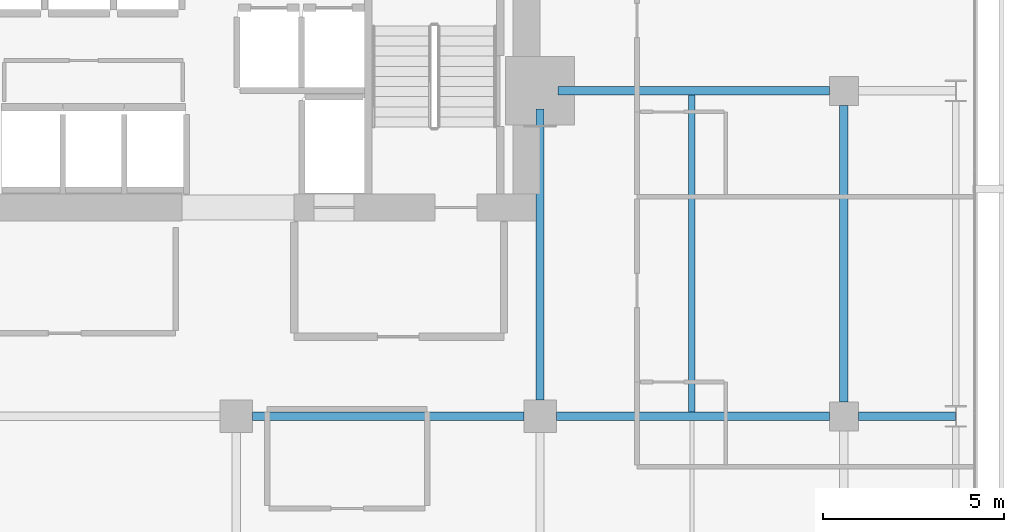
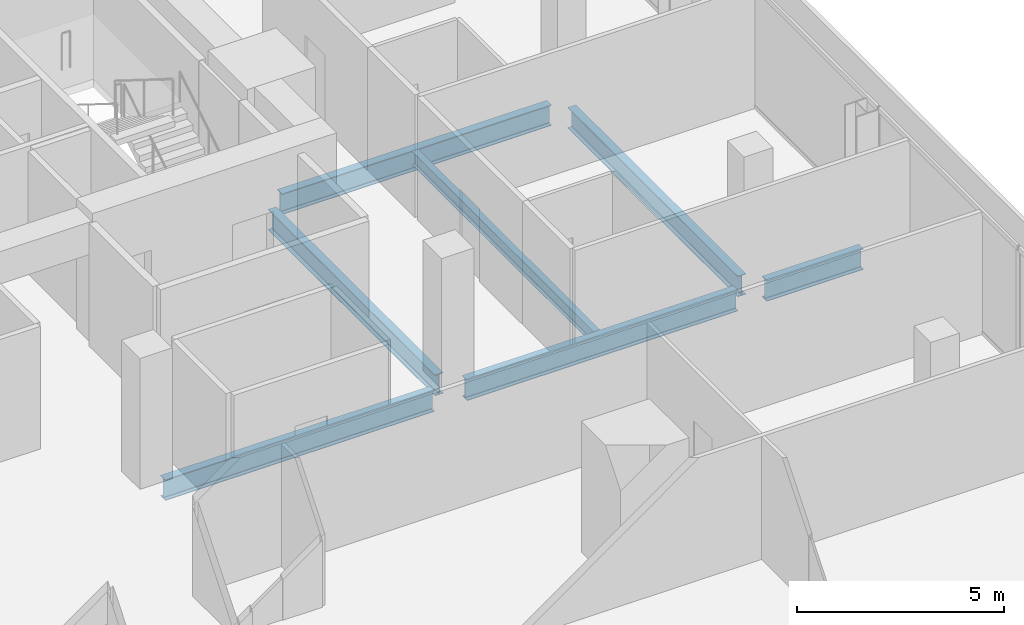
# One storey, part 23 of 33: 7 beams.
"""IFC4 building model written with IfcOpenShell, lengths in metres."""

import ifcopenshell
import ifcopenshell.guid

model = None  # the IFC model being written
_history = None  # IfcOwnerHistory: only IFC2X3 demands one
_inside = {}  # id of a spatial element -> (the spatial element, [elements in it])
_under = {}  # id of a project, library or spatial element -> (it, [spatial elements below it])
_declared = {}  # id of a project -> (the project, [libraries it declares])
_typed = {}  # id of a type object -> (the type object, [elements of that type])
_made_of = {}  # id of a material, layer set ... -> (it, [elements and type objects made of it])


def new_model(schema):
    """Start an empty IFC model of exactly this schema.

    Asked for "IFC4X3", IfcOpenShell would pick the latest addendum, in which some entities
    have other attributes; the version numbers below select the first issue.
    IFC2X3 requires an IfcOwnerHistory on every rooted entity: one is made here for all.
    """
    global model, _history
    if schema == "IFC4X3":
        model = ifcopenshell.file(schema_version=(4, 3, 0, 0))
    else:
        model = ifcopenshell.file(schema=schema)
    _inside.clear()
    _under.clear()
    _declared.clear()
    _typed.clear()
    _made_of.clear()
    _history = None
    if model.schema == "IFC2X3":
        org = make("IfcOrganization", Name="unknown")
        user = make(
            "IfcPersonAndOrganization",
            ThePerson=make("IfcPerson", FamilyName="unknown"),
            TheOrganization=org,
        )
        app = make(
            "IfcApplication",
            ApplicationDeveloper=org,
            Version="unknown",
            ApplicationFullName="unknown",
            ApplicationIdentifier="unknown",
        )
        _history = make(
            "IfcOwnerHistory",
            OwningUser=user,
            OwningApplication=app,
            ChangeAction="ADDED",
            CreationDate=0,
        )
    return model


def make(cls, **values):
    """One entity of the class cls with the attributes given. An attribute that is None is left unset."""
    return model.create_entity(
        cls, **{name: value for name, value in values.items() if value is not None}
    )


def rooted(cls, **values):
    """An entity with a GlobalId (a new one), such as an element, a storey or a relation."""
    return make(cls, GlobalId=ifcopenshell.guid.new(), OwnerHistory=_history, **values)


def si_unit(unit_type, name, prefix=None):
    """IfcSIUnit, for example si_unit("LENGTHUNIT", "METRE", prefix="MILLI")."""
    return make("IfcSIUnit", UnitType=unit_type, Prefix=prefix, Name=name)


def assignment(units):
    """IfcUnitAssignment: the units of a project."""
    return None if units is None else make("IfcUnitAssignment", Units=units)


def point(xyz):
    """IfcCartesianPoint."""
    return None if xyz is None else make("IfcCartesianPoint", Coordinates=xyz)


def direction(xyz):
    """IfcDirection."""
    return None if xyz is None else make("IfcDirection", DirectionRatios=xyz)


def frame(location, z_axis=None, x_axis=None):
    """IfcAxis2Placement3D, a coordinate frame: its origin and axes. An axis left out is left unset."""
    return make(
        "IfcAxis2Placement3D",
        Location=point(location),
        Axis=direction(z_axis),
        RefDirection=direction(x_axis),
    )


def frame_2d(location, x_axis=None):
    """IfcAxis2Placement2D, a coordinate frame in the plane: its origin and x axis."""
    return make(
        "IfcAxis2Placement2D", Location=point(location), RefDirection=direction(x_axis)
    )


def origin():
    """The frame at (0, 0, 0) with its axes left unset."""
    return frame((0.0, 0.0, 0.0))


def origin_2d():
    """The frame at (0, 0) in the plane with its x axis left unset."""
    return frame_2d((0.0, 0.0))


def place(relative_to, where):
    """IfcLocalPlacement: puts the frame where relative to a parent placement (None: the world)."""
    return make(
        "IfcLocalPlacement", PlacementRelTo=relative_to, RelativePlacement=where
    )


def context(
    kind, dimensions, precision=None, world=None, true_north=None, identifier=None
):
    """IfcGeometricRepresentationContext, for example the 3D "Model" context."""
    return make(
        "IfcGeometricRepresentationContext",
        ContextIdentifier=identifier,
        ContextType=kind,
        CoordinateSpaceDimension=dimensions,
        Precision=precision,
        WorldCoordinateSystem=world,
        TrueNorth=true_north,
    )


def subcontext(parent, identifier, kind, view, scale=None):
    """IfcGeometricRepresentationSubContext, for example "Body" below "Model"."""
    return make(
        "IfcGeometricRepresentationSubContext",
        ContextIdentifier=identifier,
        ContextType=kind,
        ParentContext=parent,
        TargetScale=scale,
        TargetView=view,
    )


def project(units=None, contexts=None):
    """IfcProject with its units and contexts."""
    return rooted(
        "IfcProject",
        Name="project",
        RepresentationContexts=contexts,
        UnitsInContext=assignment(units),
    )


def spatial(cls, under=None, at=None, **own):
    """A site, building, storey or space (cls), placed at a placement, below another one or the project."""
    s = rooted(cls, ObjectPlacement=at, **own)
    if under is not None:
        _under.setdefault(under.id(), (under, []))[1].append(s)
    return s


def profile(cls, at=None, kind="AREA", **sizes):
    """A parametric profile (cls). Its sizes go by their IFC names, for example OverallWidth=200.0."""
    return make(cls, ProfileType=kind, Position=at, **sizes)


def i_section(**sizes):
    """IfcIShapeProfileDef."""
    return profile("IfcIShapeProfileDef", **sizes)


def extrude(swept, where, along, depth):
    """IfcExtrudedAreaSolid: the profile swept, set in the frame where, extruded along a direction by depth."""
    return make(
        "IfcExtrudedAreaSolid",
        SweptArea=swept,
        Position=where,
        ExtrudedDirection=direction(along),
        Depth=depth,
    )


def shape(context_of_items, identifier, shape_type, items):
    """IfcShapeRepresentation: the items that make up one representation, for example the "Body"."""
    return make(
        "IfcShapeRepresentation",
        ContextOfItems=context_of_items,
        RepresentationIdentifier=identifier,
        RepresentationType=shape_type,
        Items=items,
    )


def material(Name=None, Category=None):
    """IfcMaterial."""
    return make("IfcMaterial", Name=Name, Category=Category)


def material_profile(
    of_material, cross_section, Name=None, Category=None, Priority=None
):
    """IfcMaterialProfile: a cross section and its material."""
    return make(
        "IfcMaterialProfile",
        Name=Name,
        Material=of_material,
        Profile=cross_section,
        Priority=Priority,
        Category=Category,
    )


def profile_set(profiles, Name=None, composite=None):
    """IfcMaterialProfileSet."""
    return make(
        "IfcMaterialProfileSet",
        Name=Name,
        MaterialProfiles=profiles,
        CompositeProfile=composite,
    )


def made_of(thing, what):
    """Note that an element or type object is made of a material, layer set ...; save() writes the relation."""
    if what is not None:
        _made_of.setdefault(what.id(), (what, []))[1].append(thing)
    return thing


def type_object(cls, material=None, **own):
    """A type object (cls), such as IfcWallType, which elements share."""
    return made_of(rooted(cls, **own), material)


def element(
    cls,
    number,
    at=None,
    inside=None,
    cuts=None,
    type_object=None,
    material=None,
    context=None,
    identifier="Body",
    shape_type=None,
    held_by="IfcProductDefinitionShape",
    body=None,
    shapes=None,
    **own,
):
    """One element of the class cls, such as IfcWall. Its Tag is "e" and its number.

    at: its placement. inside: the storey or other place that contains it. cuts: it is an
    opening in that element (IfcRelVoidsElement). A single representation is given by context,
    identifier, shape_type and body (its items); several are given by shapes. held_by: the class
    of the entity that holds the representations. save() writes the other relations.
    """
    e = rooted(cls, Tag="e%d" % number, ObjectPlacement=at, **own)
    if body is not None:
        shapes = [shape(context, identifier, shape_type, body)]
    if shapes is not None:
        e.Representation = make(held_by, Representations=shapes)
    if inside is not None:
        _inside.setdefault(inside.id(), (inside, []))[1].append(e)
    if cuts is not None:
        rooted(
            "IfcRelVoidsElement", RelatingBuildingElement=cuts, RelatedOpeningElement=e
        )
    if type_object is not None:
        _typed.setdefault(type_object.id(), (type_object, []))[1].append(e)
    return made_of(e, material)


def aggregate(whole, parts):
    """IfcRelAggregates: a whole, such as a stair, and the parts it consists of."""
    return rooted("IfcRelAggregates", RelatingObject=whole, RelatedObjects=parts)


def save(model, path):
    """Write the relations noted so far, then the file.

    IfcRelAggregates (storeys below a building ...), IfcRelContainedInSpatialStructure (elements
    in a storey), IfcRelDefinesByType, IfcRelAssociatesMaterial and IfcRelDeclares: one each for
    every whole, place, type object, material and project.
    """
    for whole, parts in _under.values():
        aggregate(whole, parts)
    for where, things in _inside.values():
        rooted(
            "IfcRelContainedInSpatialStructure",
            RelatedElements=things,
            RelatingStructure=where,
        )
    for kind, things in _typed.values():
        rooted("IfcRelDefinesByType", RelatedObjects=things, RelatingType=kind)
    for what, things in _made_of.values():
        rooted("IfcRelAssociatesMaterial", RelatedObjects=things, RelatingMaterial=what)
    for by, libraries in _declared.values():
        rooted("IfcRelDeclares", RelatingContext=by, RelatedDefinitions=libraries)
    model.write(path)


model = new_model("IFC4")

# Units and contexts
model_context = context("Model", 3, precision=1e-05, world=origin(), true_north=direction((0.0, 1.0)))
body_context = subcontext(model_context, "Body", "Model", "MODEL_VIEW")
ifc_project = project(units=[si_unit("LENGTHUNIT", "METRE"), si_unit("AREAUNIT", "SQUARE_METRE"), si_unit("VOLUMEUNIT", "CUBIC_METRE"), si_unit("PLANEANGLEUNIT", "RADIAN"), si_unit("MASSUNIT", "GRAM", prefix="KILO")], contexts=[model_context])

# Site, building, storey
site_placement = place(None, origin())
site = spatial("IfcSite", under=ifc_project, at=site_placement, CompositionType="ELEMENT")
building_placement = place(site_placement, origin())
building = spatial("IfcBuilding", under=site, at=building_placement, Name="Maruvema Waterfront Hotel and Observation Tower", CompositionType="ELEMENT")
storey_placement = place(building_placement, frame((0.0, 0.0, 150.5)))
storey = spatial("IfcBuildingStorey", under=building, at=storey_placement, Name="L36", CompositionType="ELEMENT", Elevation=150.5)

# Beams
ifc_material_1 = material(Name="Steel ASTM A572 Grade 50", Category="steel")
ifc_material_profile_1 = material_profile(ifc_material_1, i_section(OverallWidth=0.22900390625, OverallDepth=0.612060546875, WebThickness=0.011962890625, FlangeThickness=0.01953125, FilletRadius=0.01806640625, at=origin_2d()), Name="W610x125.0")
ifc_profile_set_1 = profile_set([ifc_material_profile_1], Name="Steel ASTM A572 Grade 50")
beam_type_1 = type_object("IfcBeamType", Name="Primary Floor Girder W610x125.0", PredefinedType="BEAM", material=ifc_profile_set_1)
beam_1_placement = place(storey_placement, frame((42.449951171875, 36.0, -0.5458984375), z_axis=(1.0, 0.0, 0.0), x_axis=(0.0, 1.0, 0.0)))
element("IfcBeam", 1, at=beam_1_placement, inside=storey, type_object=beam_type_1, Name="L36 Floor Girder EW-27", PredefinedType="BEAM", context=body_context, shape_type="SweptSolid", body=[
    extrude(i_section(OverallWidth=0.22900390625, OverallDepth=0.612060546875, WebThickness=0.011962890625, FlangeThickness=0.01953125, FilletRadius=0.01806640625, at=origin_2d()), origin(), (0.0, 0.0, 1.0), 7.5),
])
beam_2_placement = place(storey_placement, frame((50.85009765625, 36.0, -0.5458984375), z_axis=(1.0, 0.0, 0.0), x_axis=(0.0, 1.0, 0.0)))
element("IfcBeam", 2, at=beam_2_placement, inside=storey, type_object=beam_type_1, Name="L36 Floor Girder EW-28", PredefinedType="BEAM", context=body_context, shape_type="SweptSolid", body=[
    extrude(i_section(OverallWidth=0.22900390625, OverallDepth=0.612060546875, WebThickness=0.011962890625, FlangeThickness=0.01953125, FilletRadius=0.01806640625, at=origin_2d()), origin(), (0.0, 0.0, 1.0), 7.5498046875),
])
beam_3_placement = place(storey_placement, frame((59.199951171875, 36.0, -0.5458984375), z_axis=(1.0, 0.0, 0.0), x_axis=(0.0, 1.0, 0.0)))
element("IfcBeam", 3, at=beam_3_placement, inside=storey, type_object=beam_type_1, Name="L36 Floor Girder EW-29", PredefinedType="BEAM", context=body_context, shape_type="SweptSolid", body=[
    extrude(i_section(OverallWidth=0.22900390625, OverallDepth=0.612060546875, WebThickness=0.011962890625, FlangeThickness=0.01953125, FilletRadius=0.01806640625, at=origin_2d()), origin(), (0.0, 0.0, 1.0), 2.6875),
])
beam_4_placement = place(storey_placement, frame((50.89990234375, 45.0, -0.5458984375), z_axis=(1.0, 0.0, 0.0), x_axis=(0.0, 1.0, 0.0)))
element("IfcBeam", 4, at=beam_4_placement, inside=storey, type_object=beam_type_1, Name="L36 Floor Girder EW-32", PredefinedType="BEAM", context=body_context, shape_type="SweptSolid", body=[
    extrude(i_section(OverallWidth=0.22900390625, OverallDepth=0.612060546875, WebThickness=0.011962890625, FlangeThickness=0.01953125, FilletRadius=0.01806640625, at=origin_2d()), origin(), (0.0, 0.0, 1.0), 7.5),
])
beam_5_placement = place(storey_placement, frame((50.39990234375, 36.449951171875, -0.5458984375), z_axis=(0.0, 1.0, 0.0), x_axis=(-1.0, 0.0, 0.0)))
element("IfcBeam", 5, at=beam_5_placement, inside=storey, type_object=beam_type_1, Name="L36 Floor Girder NS-24", PredefinedType="BEAM", context=body_context, shape_type="SweptSolid", body=[
    extrude(i_section(OverallWidth=0.22900390625, OverallDepth=0.612060546875, WebThickness=0.011962890625, FlangeThickness=0.01953125, FilletRadius=0.01806640625, at=origin_2d()), origin(), (0.0, 0.0, 1.0), 8.050048828125),
])
beam_6_placement = place(storey_placement, frame((58.800048828125, 36.39990234375, -0.5458984375), z_axis=(0.0, 1.0, 0.0), x_axis=(-1.0, 0.0, 0.0)))
element("IfcBeam", 6, at=beam_6_placement, inside=storey, type_object=beam_type_1, Name="L36 Floor Girder NS-28", PredefinedType="BEAM", context=body_context, shape_type="SweptSolid", body=[
    extrude(i_section(OverallWidth=0.22900390625, OverallDepth=0.612060546875, WebThickness=0.011962890625, FlangeThickness=0.01953125, FilletRadius=0.01806640625, at=origin_2d()), origin(), (0.0, 0.0, 1.0), 8.2001953125),
])
ifc_material_2 = material(Name="Steel ASTM A572 Grade 50", Category="steel")
ifc_material_profile_2 = material_profile(ifc_material_2, i_section(OverallWidth=0.177001953125, OverallDepth=0.403076171875, WebThickness=0.007568359375, FlangeThickness=0.010986328125, FilletRadius=0.014892578125, at=origin_2d()), Name="W410x53.0")
ifc_profile_set_2 = profile_set([ifc_material_profile_2], Name="Steel ASTM A572 Grade 50")
beam_type_2 = type_object("IfcBeamType", Name="Secondary Floor Joist W410x53.0", PredefinedType="JOIST", material=ifc_profile_set_2)
beam_7_placement = place(storey_placement, frame((54.60009765625, 36.114501953125, -0.44140625), z_axis=(0.0, 1.0, 0.0), x_axis=(-1.0, 0.0, 0.0)))
element("IfcBeam", 7, at=beam_7_placement, inside=storey, type_object=beam_type_2, Name="L36 Secondary Floor Joist JS-14", PredefinedType="JOIST", context=body_context, shape_type="SweptSolid", body=[
    extrude(i_section(OverallWidth=0.177001953125, OverallDepth=0.403076171875, WebThickness=0.007568359375, FlangeThickness=0.010986328125, FilletRadius=0.014892578125, at=origin_2d()), origin(), (0.0, 0.0, 1.0), 8.77099609375),
])

save(model, "model.ifc")
